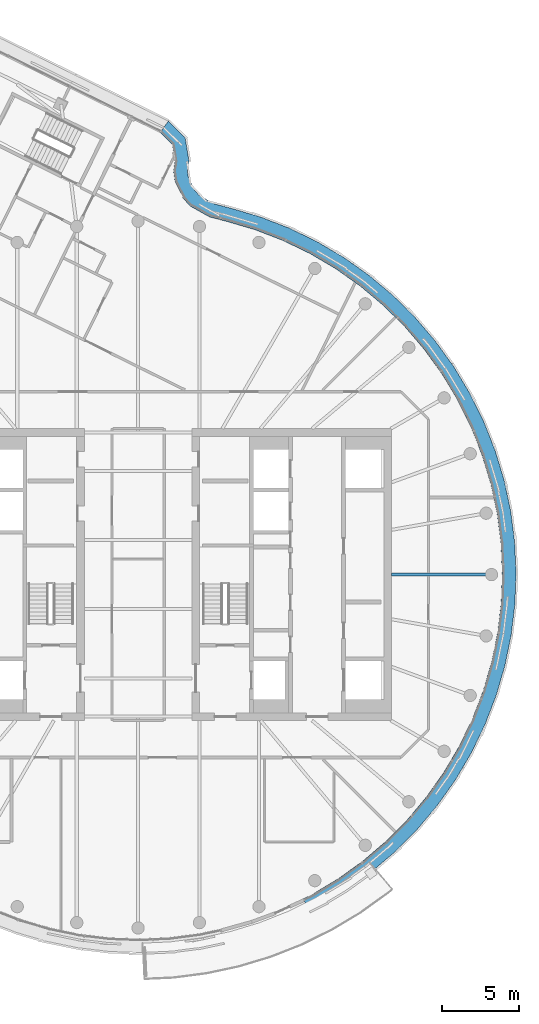
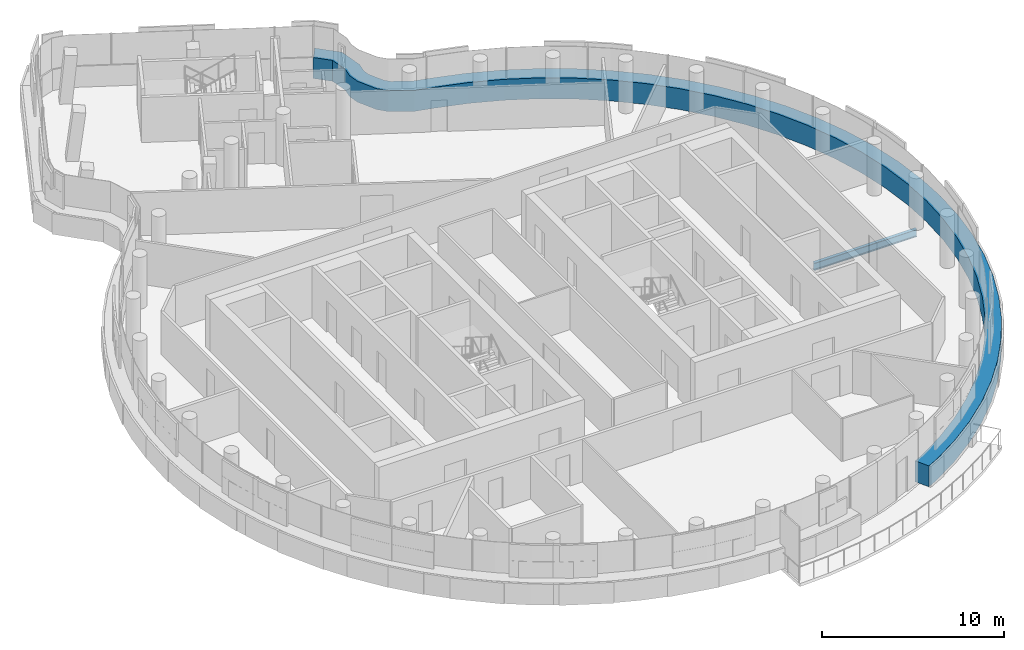
# One storey, part 7 of 21: 1 beam, 1 member, 1 element without a shape of its own.
"""IFC4 building model written with IfcOpenShell, lengths in metres."""

from ifc_helpers import new_model, si_unit, direction, frame, origin, origin_2d, place, context, subcontext, project, spatial, polyline, i_section, outline, extrude, material, layer, layer_set, material_profile, profile_set, type_object, element, aggregate, save


model = new_model("IFC4")

# Units and contexts
model_context = context("Model", 3, precision=1e-05, world=origin(), true_north=direction((0.0, 1.0)))
body_context = subcontext(model_context, "Body", "Model", "MODEL_VIEW")
ifc_project = project(units=[si_unit("LENGTHUNIT", "METRE"), si_unit("AREAUNIT", "SQUARE_METRE"), si_unit("VOLUMEUNIT", "CUBIC_METRE"), si_unit("PLANEANGLEUNIT", "RADIAN"), si_unit("MASSUNIT", "GRAM", prefix="KILO")], contexts=[model_context])

# Site, building, storey
site_placement = place(None, origin())
site = spatial("IfcSite", under=ifc_project, at=site_placement, CompositionType="ELEMENT")
building_placement = place(site_placement, origin())
building = spatial("IfcBuilding", under=site, at=building_placement, Name="Tamarind Cross Interchange Tower", CompositionType="ELEMENT")
storey_placement = place(building_placement, frame((0.0, 0.0, 264.0)))
storey = spatial("IfcBuildingStorey", under=building, at=storey_placement, Name="L67", CompositionType="ELEMENT", Elevation=264.0)

# Beam
ifc_material_1 = material(Name="Steel Q355B", Category="steel")
ifc_material_profile = material_profile(ifc_material_1, i_section(OverallWidth=0.198974609375, OverallDepth=0.49609375, WebThickness=0.009033203125, FlangeThickness=0.013916015625, FilletRadius=0.012939453125, at=origin_2d()), Name="HN 496x199x9x14")
ifc_profile_set = profile_set([ifc_material_profile], Name="Steel Q355B")
beam_type = type_object("IfcBeamType", Name="Composite beam HN 496x199x9x14 Q355B", PredefinedType="BEAM", material=ifc_profile_set)
beam_placement = place(storey_placement, frame((23.0, 0.0, -0.387939453125), z_axis=(-1.0, 0.0, 0.0), x_axis=(0.0, -1.0, 0.0)))
element("IfcBeam", 1, at=beam_placement, inside=storey, type_object=beam_type, Name="Beam HH00", PredefinedType="BEAM", context=body_context, shape_type="SweptSolid", body=[
    extrude(i_section(OverallWidth=0.198974609375, OverallDepth=0.49609375, WebThickness=0.009033203125, FlangeThickness=0.013916015625, FilletRadius=0.012939453125, at=origin_2d()), origin(), (0.0, 0.0, 1.0), 6.5),
])

# Curtain wall, member
ifc_material_2 = material(Name="Aluminium 6063-T6", Category="aluminium")
ifc_layer = layer(ifc_material_2, 0.139892578125)
ifc_layer_set = layer_set([ifc_layer], Name="Aluminium 6063-T6")
curtain_wall_type = type_object("IfcCurtainWallType", Name="Hotel curtain wall, 4.5 m bays", PredefinedType="NOTDEFINED", material=ifc_layer_set)
curtain_wall_placement = place(storey_placement, origin())
curtain_wall = element("IfcCurtainWall", 2, at=curtain_wall_placement, inside=storey, type_object=curtain_wall_type, Name="CWS-L67-01", PredefinedType="NOTDEFINED")
ifc_material_3 = material(Name="Aluminium and insulated spandrel panel", Category="aluminium")
member_type = type_object("IfcMemberType", Name="Floor-edge blade transom", PredefinedType="USERDEFINED", material=ifc_material_3)
member_placement = place(storey_placement, origin())
member = element("IfcMember", 3, at=member_placement, type_object=member_type, Name="CWT-L67-01-1", ObjectType="TRANSOM", PredefinedType="USERDEFINED", context=body_context, shape_type="SweptSolid", body=[
    extrude(outline(polyline([(10.7392578125, -21.1015625), (11.367431640625, -20.791015625), (13.045654296875, -19.78125), (14.634521484375, -18.636474609375), (16.12353515625, -17.3642578125), (17.50244140625, -15.973388671875), (18.76171875, -14.4736328125), (19.892822265625, -12.874755859375), (20.88818359375, -11.188232421875), (21.74072265625, -9.425048828125), (22.444580078125, -7.597412109375), (22.995361328125, -5.718017578125), (23.38916015625, -3.799560546875), (23.623046875, -1.855224609375), (23.695556640625, 0.10205078125), (23.606201171875, 2.058349609375), (23.35546875, 4.000732421875), (22.9453125, 5.915771484375), (22.37841796875, 7.790283203125), (21.65869140625, 9.61181640625), (20.791015625, 11.367431640625), (19.78125, 13.045654296875), (18.636474609375, 14.634521484375), (17.3642578125, 16.12353515625), (15.973388671875, 17.50244140625), (14.4736328125, 18.76171875), (12.874755859375, 19.892822265625), (11.188232421875, 20.88818359375), (9.425048828125, 21.74072265625), (7.597412109375, 22.444580078125), (5.711181640625, 22.99755859375), (4.660400390625, 23.265869140625), (3.420166015625, 23.960205078125), (2.9560546875, 24.451904296875), (2.3984375, 25.59765625), (2.298095703125, 26.266357421875), (2.398193359375, 26.908203125), (2.220703125, 27.99365234375), (1.435302734375, 28.76318359375), (1.96240234375, 29.506591796875), (3.061279296875, 28.429931640625), (3.3095703125, 26.91162109375), (3.20849609375, 26.263671875), (3.26806640625, 25.86767578125), (3.705078125, 24.969482421875), (3.97998046875, 24.67822265625), (4.997314453125, 24.108642578125), (5.94921875, 23.865478515625), (7.88623046875, 23.2978515625), (9.783203125, 22.567138671875), (11.613525390625, 21.68212890625), (13.3642578125, 20.64892578125), (15.023681640625, 19.474853515625), (16.580810546875, 18.167724609375), (18.0244140625, 16.736572265625), (19.344970703125, 15.19091796875), (20.533203125, 13.54150390625), (21.581298828125, 11.799560546875), (22.482177734375, 9.97705078125), (23.229248046875, 8.08642578125), (23.817626953125, 6.140625), (24.243408203125, 4.15283203125), (24.50341796875, 2.13671875), (24.59619140625, 0.10595703125), (24.52099609375, -1.925537109375), (24.2783203125, -3.944091796875), (23.86962890625, -5.935302734375), (23.2978515625, -7.88623046875), (22.567138671875, -9.783203125), (21.68212890625, -11.613525390625), (20.64892578125, -13.3642578125), (19.474853515625, -15.023681640625), (18.167724609375, -16.580810546875), (16.736572265625, -18.0244140625), (15.19091796875, -19.344970703125), (13.54150390625, -20.533203125), (11.799560546875, -21.581298828125), (11.1474609375, -21.90380859375), (10.7392578125, -21.1015625)])), origin(), (0.0, 0.0, 1.0), 1.39990234375),
])
aggregate(curtain_wall, [member])

save(model, "model.ifc")
